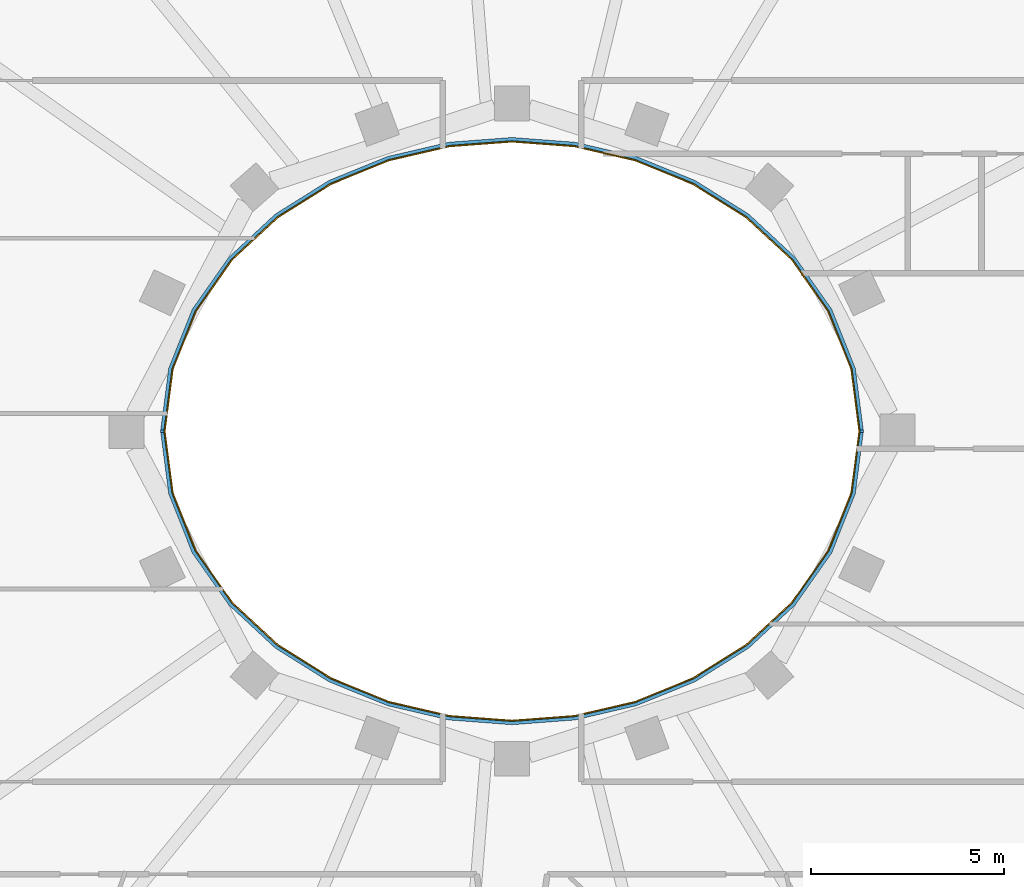
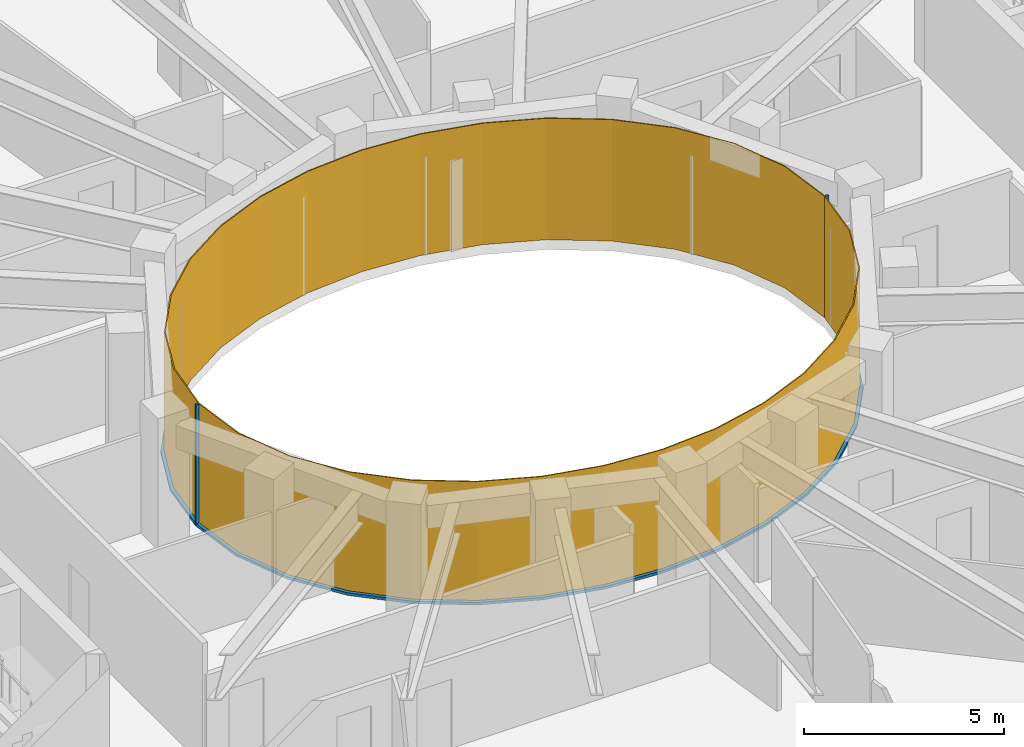
# One storey, part 10 of 15: 4 members, 2 curtain walls.
"""IFC4 building model written with IfcOpenShell, lengths in metres."""

from ifc_helpers import new_model, si_unit, direction, frame, origin, origin_2d, place, context, subcontext, project, spatial, polyline, rectangle, outline, extrude, material, layer, layer_set, material_profile, profile_set, type_object, element, aggregate, save


model = new_model("IFC4")

# Units and contexts
model_context = context("Model", 3, precision=1e-05, world=origin(), true_north=direction((0.0, 1.0)))
body_context = subcontext(model_context, "Body", "Model", "MODEL_VIEW")
ifc_project = project(units=[si_unit("LENGTHUNIT", "METRE"), si_unit("AREAUNIT", "SQUARE_METRE"), si_unit("VOLUMEUNIT", "CUBIC_METRE"), si_unit("PLANEANGLEUNIT", "RADIAN"), si_unit("MASSUNIT", "GRAM", prefix="KILO")], contexts=[model_context])

# Member
ifc_material_1 = material(Name="Steel S355 fire-resisting frame", Category="steel")
ifc_material_profile = material_profile(ifc_material_1, rectangle(XDim=0.090087890625, YDim=0.06005859375, at=origin_2d()), Name="90x60")
ifc_profile_set = profile_set([ifc_material_profile], Name="Steel S355 fire-resisting frame")
member_type_1 = type_object("IfcMemberType", Name="ENV-MULLION-W-90", PredefinedType="MULLION", material=ifc_profile_set)
site_placement = place(None, origin())
building_placement = place(site_placement, origin())
storey_placement = place(building_placement, frame((0.0, 0.0, 295.0)))
member_1_placement = place(storey_placement, frame((9.076904296875, 0.0, 0.0), z_axis=(0.0, 0.0, 1.0), x_axis=(1.0, 0.0, 0.0)))
member_1 = element("IfcMember", 1, at=member_1_placement, type_object=member_type_1, Name="Mullion W well vertex 01", PredefinedType="MULLION", context=body_context, shape_type="SweptSolid", body=[
    extrude(rectangle(XDim=0.090087890625, YDim=0.06005859375, at=origin_2d()), origin(), (0.0, 0.0, 1.0), 3.699951171875),
])

member_2_placement = place(storey_placement, frame((-9.076904296875, 0.0, 0.0), z_axis=(0.0, 0.0, 1.0), x_axis=(-1.0, 0.0, 0.0)))
member_2 = element("IfcMember", 2, at=member_2_placement, type_object=member_type_1, Name="Mullion W well vertex 17", PredefinedType="MULLION", context=body_context, shape_type="SweptSolid", body=[
    extrude(rectangle(XDim=0.090087890625, YDim=0.06005859375, at=origin_2d()), origin(), (0.0, 0.0, 1.0), 3.699951171875),
])

ifc_material_2 = material(Name="Steel S355 fire-resisting frame", Category="steel")
member_type_2 = type_object("IfcMemberType", Name="ENV-TRANSOM-W", PredefinedType="USERDEFINED", material=ifc_material_2)
member_3_placement = place(storey_placement, origin())
member_3 = element("IfcMember", 3, at=member_3_placement, type_object=member_type_2, Name="Transom W well 01-17", ObjectType="TRANSOM", PredefinedType="USERDEFINED", context=body_context, shape_type="SweptSolid", body=[
    extrude(outline(polyline([(9.119384765625, 0.02783203125), (8.910400390625, 1.63623046875), (8.29833984375, 3.167236328125), (7.35107421875, 4.5146484375), (6.1455078125, 5.6337890625), (4.75341796875, 6.50634765625), (3.233642578125, 7.127685546875), (1.635498046875, 7.498779296875), (0.0, 7.622314453125), (-1.635498046875, 7.498779296875), (-3.233642578125, 7.127685546875), (-4.75341796875, 6.50634765625), (-6.1455078125, 5.6337890625), (-7.35107421875, 4.5146484375), (-8.29833984375, 3.167236328125), (-8.910400390625, 1.63623046875), (-9.119384765625, 0.02783203125), (-9.02880859375, 0.02783203125), (-8.822509765625, 1.61328125), (-8.21875, 3.124267578125), (-7.282958984375, 4.455078125), (-6.090576171875, 5.56201171875), (-4.712158203125, 6.426025390625), (-3.206298828125, 7.04150390625), (-1.621826171875, 7.40966796875), (0.0, 7.531982421875), (1.621826171875, 7.40966796875), (3.206298828125, 7.04150390625), (4.712158203125, 6.426025390625), (6.090576171875, 5.56201171875), (7.282958984375, 4.455078125), (8.21875, 3.124267578125), (8.822509765625, 1.61328125), (9.02880859375, 0.02783203125), (9.119384765625, 0.02783203125)])), origin(), (0.0, 0.0, 1.0), 0.080078125),
])

member_4_placement = place(storey_placement, origin())
member_4 = element("IfcMember", 4, at=member_4_placement, type_object=member_type_2, Name="Transom W well 17-01", ObjectType="TRANSOM", PredefinedType="USERDEFINED", context=body_context, shape_type="SweptSolid", body=[
    extrude(outline(polyline([(-9.119384765625, -0.02783203125), (-8.910400390625, -1.63623046875), (-8.29833984375, -3.167236328125), (-7.35107421875, -4.5146484375), (-6.1455078125, -5.6337890625), (-4.75341796875, -6.50634765625), (-3.233642578125, -7.127685546875), (-1.635498046875, -7.498779296875), (0.0, -7.622314453125), (1.635498046875, -7.498779296875), (3.233642578125, -7.127685546875), (4.75341796875, -6.50634765625), (6.1455078125, -5.6337890625), (7.35107421875, -4.5146484375), (8.29833984375, -3.167236328125), (8.910400390625, -1.63623046875), (9.119384765625, -0.02783203125), (9.02880859375, -0.02783203125), (8.822509765625, -1.61328125), (8.21875, -3.124267578125), (7.282958984375, -4.455078125), (6.090576171875, -5.56201171875), (4.712158203125, -6.426025390625), (3.206298828125, -7.04150390625), (1.621826171875, -7.40966796875), (0.0, -7.531982421875), (-1.621826171875, -7.40966796875), (-3.206298828125, -7.04150390625), (-4.712158203125, -6.426025390625), (-6.090576171875, -5.56201171875), (-7.282958984375, -4.455078125), (-8.21875, -3.124267578125), (-8.822509765625, -1.61328125), (-9.02880859375, -0.02783203125), (-9.119384765625, -0.02783203125)])), origin(), (0.0, 0.0, 1.0), 0.080078125),
])

# Site, building, storey
site = spatial("IfcSite", under=ifc_project, at=site_placement, CompositionType="ELEMENT")
building = spatial("IfcBuilding", under=site, at=building_placement, Name="Noorbagh Ring Tower", CompositionType="ELEMENT")
storey = spatial("IfcBuildingStorey", under=building, at=storey_placement, Name="L63", CompositionType="ELEMENT", Elevation=295.0)

# Curtain wall
ifc_material_3 = material(Name="Glass fire-resisting E60 laminated", Category="glass")
ifc_layer = layer(ifc_material_3, 0.031982421875)
ifc_layer_set = layer_set([ifc_layer], Name="Glass fire-resisting E60 laminated")
curtain_wall_type = type_object("IfcCurtainWallType", Name="ENV-CW-W", PredefinedType="NOTDEFINED", material=ifc_layer_set)
curtain_wall_1_placement = place(storey_placement, origin())
curtain_wall_1 = element("IfcCurtainWall", 5, at=curtain_wall_1_placement, inside=storey, type_object=curtain_wall_type, Name="Curtain wall W W01", PredefinedType="NOTDEFINED", context=body_context, shape_type="SweptSolid", body=[
    extrude(outline(polyline([(9.0322265625, 0.0), (8.822509765625, 1.61328125), (8.21875, 3.124267578125), (7.282958984375, 4.455078125), (6.090576171875, 5.56201171875), (4.712158203125, 6.426025390625), (3.206298828125, 7.04150390625), (1.621826171875, 7.40966796875), (0.0, 7.531982421875), (-1.621826171875, 7.40966796875), (-3.206298828125, 7.04150390625), (-4.712158203125, 6.426025390625), (-6.090576171875, 5.56201171875), (-7.282958984375, 4.455078125), (-8.21875, 3.124267578125), (-8.822509765625, 1.61328125), (-9.0322265625, 0.0), (-9.0, 0.0), (-8.79150390625, 1.605224609375), (-8.1904296875, 3.10888671875), (-7.2587890625, 4.43408203125), (-6.071044921875, 5.53662109375), (-4.697509765625, 6.3974609375), (-3.196533203125, 7.010986328125), (-1.6171875, 7.3779296875), (0.0, 7.5), (1.6171875, 7.3779296875), (3.196533203125, 7.010986328125), (4.697509765625, 6.3974609375), (6.071044921875, 5.53662109375), (7.2587890625, 4.43408203125), (8.1904296875, 3.10888671875), (8.79150390625, 1.605224609375), (9.0, 0.0), (9.0322265625, 0.0)])), origin(), (0.0, 0.0, 1.0), 3.699951171875),
])

aggregate(curtain_wall_1, [member_1, member_2, member_3])

curtain_wall_2_placement = place(storey_placement, origin())
curtain_wall_2 = element("IfcCurtainWall", 6, at=curtain_wall_2_placement, inside=storey, type_object=curtain_wall_type, Name="Curtain wall W W17", PredefinedType="NOTDEFINED", context=body_context, shape_type="SweptSolid", body=[
    extrude(outline(polyline([(-9.0322265625, 0.0), (-8.822509765625, -1.61328125), (-8.21875, -3.124267578125), (-7.282958984375, -4.455078125), (-6.090576171875, -5.56201171875), (-4.712158203125, -6.426025390625), (-3.206298828125, -7.04150390625), (-1.621826171875, -7.40966796875), (0.0, -7.531982421875), (1.621826171875, -7.40966796875), (3.206298828125, -7.04150390625), (4.712158203125, -6.426025390625), (6.090576171875, -5.56201171875), (7.282958984375, -4.455078125), (8.21875, -3.124267578125), (8.822509765625, -1.61328125), (9.0322265625, 0.0), (9.0, 0.0), (8.79150390625, -1.605224609375), (8.1904296875, -3.10888671875), (7.2587890625, -4.43408203125), (6.071044921875, -5.53662109375), (4.697509765625, -6.3974609375), (3.196533203125, -7.010986328125), (1.6171875, -7.3779296875), (0.0, -7.5), (-1.6171875, -7.3779296875), (-3.196533203125, -7.010986328125), (-4.697509765625, -6.3974609375), (-6.071044921875, -5.53662109375), (-7.2587890625, -4.43408203125), (-8.1904296875, -3.10888671875), (-8.79150390625, -1.605224609375), (-9.0, 0.0), (-9.0322265625, 0.0)])), origin(), (0.0, 0.0, 1.0), 3.699951171875),
])

aggregate(curtain_wall_2, [member_4])

save(model, "model.ifc")
